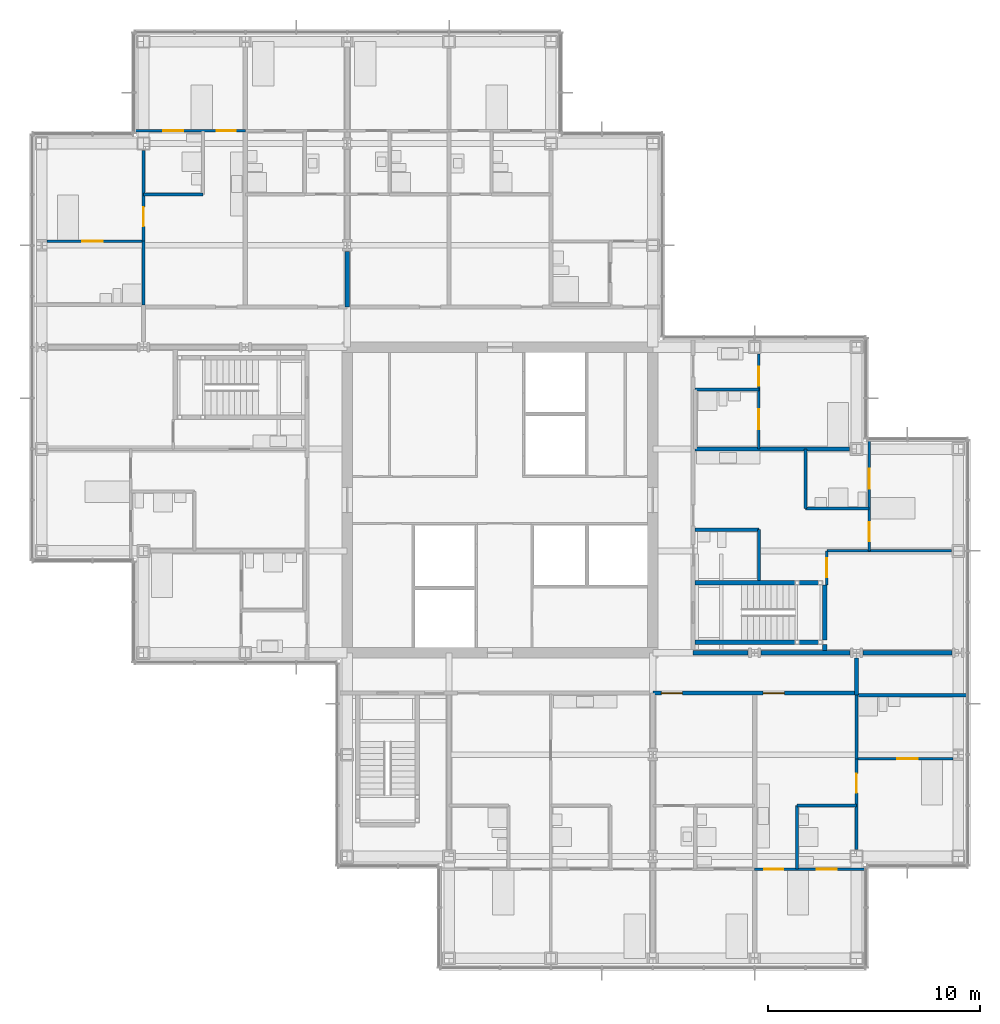
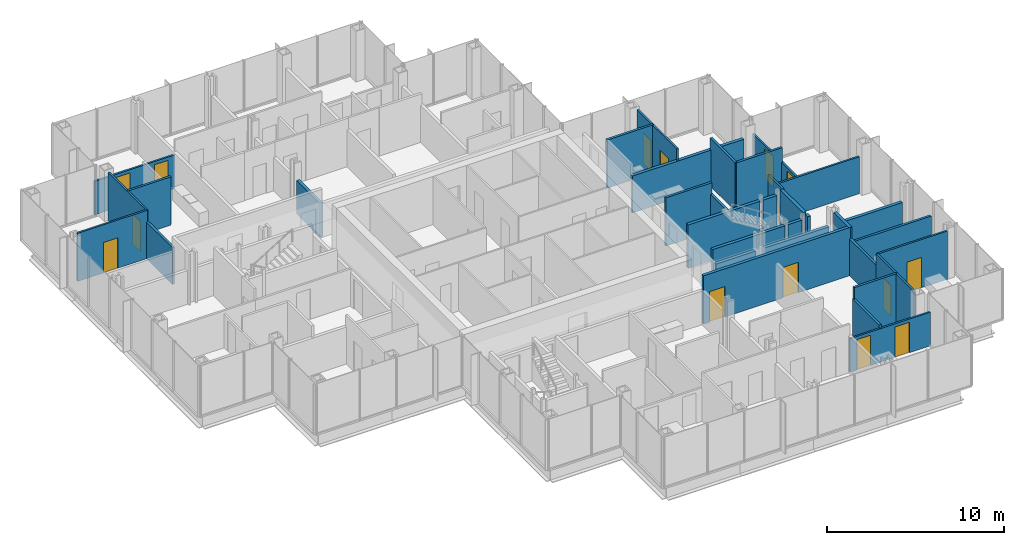
# One storey, part 16 of 20: 34 walls, 15 doors, 15 openings.
"""IFC4 building model written with IfcOpenShell, lengths in metres."""

from ifc_helpers import new_model, si_unit, direction, frame, frame_2d, origin, place, context, subcontext, project, spatial, rectangle, extrude, material, layer, layer_set, type_object, element, fill, save


model = new_model("IFC4")

# Units and contexts
model_context = context("Model", 3, precision=1e-05, world=origin(), true_north=direction((0.0, 1.0)))
body_context = subcontext(model_context, "Body", "Model", "MODEL_VIEW")
ifc_project = project(units=[si_unit("LENGTHUNIT", "METRE"), si_unit("AREAUNIT", "SQUARE_METRE"), si_unit("VOLUMEUNIT", "CUBIC_METRE"), si_unit("PLANEANGLEUNIT", "RADIAN"), si_unit("MASSUNIT", "GRAM", prefix="KILO")], contexts=[model_context])

# Site, building, storey
site_placement = place(None, origin())
site = spatial("IfcSite", under=ifc_project, at=site_placement, CompositionType="ELEMENT")
building_placement = place(site_placement, origin())
building = spatial("IfcBuilding", under=site, at=building_placement, Name="Kvirike Care Tower", CompositionType="ELEMENT")
storey_placement = place(building_placement, frame((0.0, 0.0, 115.5)))
storey = spatial("IfcBuildingStorey", under=building, at=storey_placement, Name="L31", CompositionType="ELEMENT", Elevation=115.5)

# Walls
ifc_material_1 = material(Name="Moisture-resistant board partition", Category="gypsum")
ifc_layer_1 = layer(ifc_material_1, 0.14990234375)
ifc_layer_set_1 = layer_set([ifc_layer_1], Name="BATHROOM WALL 150")
wall_type_1 = type_object("IfcWallType", Name="BATHROOM WALL 150", PredefinedType="PARTITIONING", material=ifc_layer_set_1)
wall_1_placement = place(storey_placement, frame((7.60009765625, 50.39990234375, 0.0), z_axis=(0.0, 0.0, 1.0), x_axis=(-1.0, 0.0, 0.0)))
element("IfcWall", 1, at=wall_1_placement, inside=storey, type_object=wall_type_1, Name="Bathroom Wall 150 L31", PredefinedType="PARTITIONING", context=body_context, shape_type="SweptSolid", body=[
    extrude(rectangle(XDim=2.800048828125, YDim=0.14990234375, at=frame_2d((1.39990234375, 0.0))), origin(), (0.0, 0.0, 1.0), 3.330078125),
])
for number, where, z_axis, x_axis, name in (
    (2, (4.800048828125, 48.199951171875, 0.0), (0.0, 0.0, 1.0), (0.0, -1.0, 0.0), "Bathroom Wall 150 L31"),
    (3, (35.60009765625, 18.60009765625, 0.0), (0.0, 0.0, 1.0), (0.0, 1.0, 0.0), "Bathroom Wall 150 L31"),
):
    element("IfcWall", number, at=place(storey_placement, frame(where, z_axis=z_axis, x_axis=x_axis)), inside=storey, type_object=wall_type_1, Name=name, PredefinedType="PARTITIONING", context=body_context, shape_type="SweptSolid", body=[
        extrude(rectangle(XDim=3.0, YDim=0.14990234375, at=frame_2d((1.5, 0.0))), origin(), (0.0, 0.0, 1.0), 2.550048828125),
    ])
wall_2_placement = place(storey_placement, frame((35.60009765625, 21.60009765625, 0.0), z_axis=(0.0, 0.0, 1.0), x_axis=(1.0, 0.0, 0.0)))
element("IfcWall", 4, at=wall_2_placement, inside=storey, type_object=wall_type_1, Name="Bathroom Wall 150 L31", PredefinedType="PARTITIONING", context=body_context, shape_type="SweptSolid", body=[
    extrude(rectangle(XDim=2.7998046875, YDim=0.14990234375, at=frame_2d((1.39990234375, 0.0))), origin(), (0.0, 0.0, 1.0), 3.330078125),
])
wall_3_placement = place(storey_placement, frame((38.39990234375, 23.800048828125, 0.0), z_axis=(0.0, 0.0, 1.0), x_axis=(0.0, 1.0, 0.0)))
element("IfcWall", 5, at=wall_3_placement, inside=storey, type_object=wall_type_1, Name="Bathroom Wall 150 L31", PredefinedType="PARTITIONING", context=body_context, shape_type="SweptSolid", body=[
    extrude(rectangle(XDim=3.0, YDim=0.14990234375, at=frame_2d((1.5, 0.0))), origin(), (0.0, 0.0, 1.0), 2.550048828125),
])
wall_4_placement = place(storey_placement, frame((33.800048828125, 32.199951171875, 0.0), z_axis=(0.0, 0.0, 1.0), x_axis=(0.0, 1.0, 0.0)))
element("IfcWall", 6, at=wall_4_placement, inside=storey, type_object=wall_type_1, Name="Bathroom Wall 150 L31", PredefinedType="PARTITIONING", context=body_context, shape_type="SweptSolid", body=[
    extrude(rectangle(XDim=2.400146484375, YDim=0.14990234375, at=frame_2d((1.2001953125, 0.0))), origin(), (0.0, 0.0, 1.0), 2.550048828125),
])
for number, where, z_axis, x_axis, name in (
    (7, (33.800048828125, 34.60009765625, 0.0), (0.0, 0.0, 1.0), (-1.0, 0.0, 0.0), "Bathroom Wall 150 L31"),
    (8, (39.0, 35.60009765625, 0.0), (0.0, 0.0, 1.0), (-1.0, 0.0, 0.0), "Bathroom Wall 150 L31"),
):
    element("IfcWall", number, at=place(storey_placement, frame(where, z_axis=z_axis, x_axis=x_axis)), inside=storey, type_object=wall_type_1, Name=name, PredefinedType="PARTITIONING", context=body_context, shape_type="SweptSolid", body=[
        extrude(rectangle(XDim=3.0, YDim=0.14990234375, at=frame_2d((1.5, 0.0))), origin(), (0.0, 0.0, 1.0), 3.330078125),
    ])
wall_5_placement = place(storey_placement, frame((36.0, 35.60009765625, 0.0), z_axis=(0.0, 0.0, 1.0), x_axis=(0.0, 1.0, 0.0)))
element("IfcWall", 9, at=wall_5_placement, inside=storey, type_object=wall_type_1, Name="Bathroom Wall 150 L31", PredefinedType="PARTITIONING", context=body_context, shape_type="SweptSolid", body=[
    extrude(rectangle(XDim=2.7998046875, YDim=0.14990234375, at=frame_2d((1.39990234375, 0.0))), origin(), (0.0, 0.0, 1.0), 3.330078125),
])
wall_6_placement = place(storey_placement, frame((33.800048828125, 41.199951171875, 0.0), z_axis=(0.0, 0.0, 1.0), x_axis=(-1.0, 0.0, 0.0)))
element("IfcWall", 10, at=wall_6_placement, inside=storey, type_object=wall_type_1, Name="Bathroom Wall 150 L31", PredefinedType="PARTITIONING", context=body_context, shape_type="SweptSolid", body=[
    extrude(rectangle(XDim=3.0, YDim=0.14990234375, at=frame_2d((1.5, 0.0))), origin(), (0.0, 0.0, 1.0), 3.330078125),
])
wall_7_placement = place(storey_placement, frame((38.5, 26.800048828125, 0.0), z_axis=(0.0, 0.0, 1.0), x_axis=(1.0, 0.0, 0.0)))
element("IfcWall", 11, at=wall_7_placement, inside=storey, type_object=wall_type_1, Name="Bathroom Wall 150 L31", PredefinedType="PARTITIONING", context=body_context, shape_type="SweptSolid", body=[
    extrude(rectangle(XDim=5.139892578125, YDim=0.14990234375, at=frame_2d((2.56982421875, 0.0))), origin(), (0.0, 0.0, 1.0), 2.320068359375),
])

# Wall, openings, doors
ifc_material_2 = material(Name="Plasterboard corridor wall", Category="gypsum")
ifc_layer_2 = layer(ifc_material_2, 0.199951171875)
ifc_layer_set_2 = layer_set([ifc_layer_2], Name="CORRIDOR WALL 200")
wall_type_2 = type_object("IfcWallType", Name="CORRIDOR WALL 200", PredefinedType="PARTITIONING", material=ifc_layer_set_2)
wall_8_placement = place(storey_placement, frame((28.800048828125, 26.89990234375, 0.0), z_axis=(0.0, 0.0, 1.0), x_axis=(1.0, 0.0, 0.0)))
wall_8 = element("IfcWall", 12, at=wall_8_placement, inside=storey, type_object=wall_type_2, Name="Corridor Wall 200 L31", PredefinedType="PARTITIONING", context=body_context, shape_type="SweptSolid", body=[
    extrude(rectangle(XDim=9.599853515625, YDim=0.199951171875, at=frame_2d((4.7998046875, 0.0))), origin(), (0.0, 0.0, 1.0), 3.330078125),
])
opening_1_placement = place(wall_8_placement, frame((0.39990234375, 0.0, 0.0)))
opening_1 = element("IfcOpeningElement", 13, at=opening_1_placement, cuts=wall_8, Name="Opening 31-045", PredefinedType="OPENING", context=body_context, shape_type="SweptSolid", body=[
    extrude(rectangle(XDim=1.0, YDim=2.10009765625, at=frame_2d((0.5, 1.050048828125))), frame((0.0, 0.110595703125, 0.0), z_axis=(0.0, -1.0, 0.0), x_axis=(1.0, 0.0, 0.0)), (0.0, 0.0, 1.0), 0.220947265625),
])
opening_2_placement = place(wall_8_placement, frame((5.199951171875, 0.0, 0.0)))
opening_2 = element("IfcOpeningElement", 14, at=opening_2_placement, cuts=wall_8, Name="Opening 31-046", PredefinedType="OPENING", context=body_context, shape_type="SweptSolid", body=[
    extrude(rectangle(XDim=1.0, YDim=2.10009765625, at=frame_2d((0.5, 1.050048828125))), frame((0.0, 0.110595703125, 0.0), z_axis=(0.0, -1.0, 0.0), x_axis=(1.0, 0.0, 0.0)), (0.0, 0.0, 1.0), 0.220947265625),
])
ifc_material_3 = material(Name="Timber door set", Category="wood")
door_type_1 = type_object("IfcDoorType", Name="FLAT ENTRANCE DOOR 1000", OperationType="SINGLE_SWING_LEFT", PredefinedType="DOOR", material=ifc_material_3)
door_1_placement = place(opening_1_placement, frame((1.0, 0.0, 0.0), z_axis=(0.0, 0.0, 1.0), x_axis=(-1.0, 0.0, 0.0)))
door_1 = element("IfcDoor", 15, at=door_1_placement, inside=storey, type_object=door_type_1, Name="Assisted living suite entrance", OperationType="SINGLE_SWING_LEFT", OverallHeight=2.10009765625, OverallWidth=1.0, PredefinedType="DOOR", context=body_context, shape_type="SweptSolid", body=[
    extrude(rectangle(XDim=1.0, YDim=2.10009765625, at=frame_2d((0.5, 1.050048828125))), frame((0.0, 0.02685546875, 0.0), z_axis=(0.0, -1.0, 0.0), x_axis=(1.0, 0.0, 0.0)), (0.0, 0.0, 1.0), 0.053955078125),
])
fill(opening_1, door_1)
door_2_placement = place(opening_2_placement, frame((1.0, 0.0, 0.0), z_axis=(0.0, 0.0, 1.0), x_axis=(-1.0, 0.0, 0.0)))
door_2 = element("IfcDoor", 16, at=door_2_placement, inside=storey, type_object=door_type_1, Name="Two-bedroom assisted living suite entrance", OperationType="SINGLE_SWING_LEFT", OverallHeight=2.10009765625, OverallWidth=1.0, PredefinedType="DOOR", context=body_context, shape_type="SweptSolid", body=[
    extrude(rectangle(XDim=1.0, YDim=2.10009765625, at=frame_2d((0.5, 1.050048828125))), frame((0.0, 0.02685546875, 0.0), z_axis=(0.0, -1.0, 0.0), x_axis=(1.0, 0.0, 0.0)), (0.0, 0.0, 1.0), 0.053955078125),
])
fill(opening_2, door_2)

# Wall
wall_9_placement = place(storey_placement, frame((38.39990234375, 26.800048828125, 0.0), z_axis=(0.0, 0.0, 1.0), x_axis=(0.0, 1.0, 0.0)))
element("IfcWall", 17, at=wall_9_placement, inside=storey, type_object=wall_type_2, Name="Corridor Wall 200 L31", PredefinedType="PARTITIONING", context=body_context, shape_type="SweptSolid", body=[
    extrude(rectangle(XDim=1.7529296875, YDim=0.199951171875, at=frame_2d((0.87646484375, 0.0))), origin(), (0.0, 0.0, 1.0), 3.330078125),
])

# Wall, openings, doors
ifc_material_4 = material(Name="Plasterboard partition", Category="gypsum")
ifc_layer_3 = layer(ifc_material_4, 0.1201171875)
ifc_layer_set_3 = layer_set([ifc_layer_3], Name="PARTITION 120")
wall_type_3 = type_object("IfcWallType", Name="PARTITION 120", PredefinedType="PARTITIONING", material=ifc_layer_set_3)
wall_10_placement = place(storey_placement, frame((9.60009765625, 53.39990234375, 0.0), z_axis=(0.0, 0.0, 1.0), x_axis=(-1.0, 0.0, 0.0)))
wall_10 = element("IfcWall", 18, at=wall_10_placement, inside=storey, type_object=wall_type_3, Name="Partition 120 L31", PredefinedType="PARTITIONING", context=body_context, shape_type="SweptSolid", body=[
    extrude(rectangle(XDim=5.239990234375, YDim=0.1201171875, at=frame_2d((2.6201171875, 0.0))), origin(), (0.0, 0.0, 1.0), 2.320068359375),
])
opening_3_placement = place(wall_10_placement, frame((0.449951171875, 0.0, 0.0)))
opening_3 = element("IfcOpeningElement", 19, at=opening_3_placement, cuts=wall_10, Name="Opening 31-013", PredefinedType="OPENING", context=body_context, shape_type="SweptSolid", body=[
    extrude(rectangle(XDim=0.89990234375, YDim=2.10009765625, at=frame_2d((0.449951171875, 1.050048828125))), frame((0.0, 0.070556640625, 0.0), z_axis=(0.0, -1.0, 0.0), x_axis=(1.0, 0.0, 0.0)), (0.0, 0.0, 1.0), 0.14111328125),
])
opening_4_placement = place(wall_10_placement, frame((2.925048828125, 0.0, 0.0)))
opening_4 = element("IfcOpeningElement", 20, at=opening_4_placement, cuts=wall_10, Name="Opening 31-014", PredefinedType="OPENING", context=body_context, shape_type="SweptSolid", body=[
    extrude(rectangle(XDim=0.949951171875, YDim=2.10009765625, at=frame_2d((0.47509765625, 1.050048828125))), frame((0.0, 0.070556640625, 0.0), z_axis=(0.0, -1.0, 0.0), x_axis=(1.0, 0.0, 0.0)), (0.0, 0.0, 1.0), 0.14111328125),
])
ifc_material_5 = material(Name="Timber door set", Category="wood")
door_type_2 = type_object("IfcDoorType", Name="EN-SUITE SLIDING DOOR 950", OperationType="SLIDING_TO_LEFT", PredefinedType="DOOR", material=ifc_material_5)
door_3_placement = place(opening_4_placement, origin())
door_3 = element("IfcDoor", 21, at=door_3_placement, inside=storey, type_object=door_type_2, Name="En-suite door", OperationType="SLIDING_TO_RIGHT", OverallHeight=2.10009765625, OverallWidth=0.949951171875, PredefinedType="DOOR", context=body_context, shape_type="SweptSolid", body=[
    extrude(rectangle(XDim=0.949951171875, YDim=2.10009765625, at=frame_2d((0.47509765625, 1.050048828125))), frame((0.0, 0.02197265625, 0.0), z_axis=(0.0, -1.0, 0.0), x_axis=(1.0, 0.0, 0.0)), (0.0, 0.0, 1.0), 0.0439453125),
])
fill(opening_4, door_3)
ifc_material_6 = material(Name="Timber door set", Category="wood")
door_type_3 = type_object("IfcDoorType", Name="INTERNAL DOOR 900", OperationType="SINGLE_SWING_LEFT", PredefinedType="DOOR", material=ifc_material_6)
door_4_placement = place(opening_3_placement, frame((0.89990234375, 0.0, 0.0), z_axis=(0.0, 0.0, 1.0), x_axis=(-1.0, 0.0, 0.0)))
door_4 = element("IfcDoor", 22, at=door_4_placement, inside=storey, type_object=door_type_3, Name="Assisted living suite door", OperationType="SINGLE_SWING_LEFT", OverallHeight=2.10009765625, OverallWidth=0.89990234375, PredefinedType="DOOR", context=body_context, shape_type="SweptSolid", body=[
    extrude(rectangle(XDim=0.89990234375, YDim=2.10009765625, at=frame_2d((0.449951171875, 1.050048828125))), frame((0.0, 0.02197265625, 0.0), z_axis=(0.0, -1.0, 0.0), x_axis=(1.0, 0.0, 0.0)), (0.0, 0.0, 1.0), 0.0439453125),
])
fill(opening_3, door_4)

# Wall, opening, door
wall_11_placement = place(storey_placement, frame((4.800048828125, 48.199951171875, 0.0), z_axis=(0.0, 0.0, 1.0), x_axis=(-1.0, 0.0, 0.0)))
wall_11 = element("IfcWall", 23, at=wall_11_placement, inside=storey, type_object=wall_type_3, Name="Partition 120 L31", PredefinedType="PARTITIONING", context=body_context, shape_type="SweptSolid", body=[
    extrude(rectangle(XDim=4.55615234375, YDim=0.1201171875, at=frame_2d((2.278076171875, 0.0))), origin(), (0.0, 0.0, 1.0), 3.330078125),
])
opening_5_placement = place(wall_11_placement, frame((1.925048828125, 0.0, 0.0)))
opening_5 = element("IfcOpeningElement", 24, at=opening_5_placement, cuts=wall_11, Name="Opening 31-015", PredefinedType="OPENING", context=body_context, shape_type="SweptSolid", body=[
    extrude(rectangle(XDim=0.949951171875, YDim=2.10009765625, at=frame_2d((0.47509765625, 1.050048828125))), frame((0.0, 0.070556640625, 0.0), z_axis=(0.0, -1.0, 0.0), x_axis=(1.0, 0.0, 0.0)), (0.0, 0.0, 1.0), 0.14111328125),
])
door_5_placement = place(opening_5_placement, origin())
door_5 = element("IfcDoor", 25, at=door_5_placement, inside=storey, type_object=door_type_2, Name="En-suite door", OperationType="SLIDING_TO_LEFT", OverallHeight=2.10009765625, OverallWidth=0.949951171875, PredefinedType="DOOR", context=body_context, shape_type="SweptSolid", body=[
    extrude(rectangle(XDim=0.949951171875, YDim=2.10009765625, at=frame_2d((0.47509765625, 1.050048828125))), frame((0.0, 0.02197265625, 0.0), z_axis=(0.0, -1.0, 0.0), x_axis=(1.0, 0.0, 0.0)), (0.0, 0.0, 1.0), 0.0439453125),
])
fill(opening_5, door_5)

wall_12_placement = place(storey_placement, frame((4.800048828125, 52.47998046875, 0.0), z_axis=(0.0, 0.0, 1.0), x_axis=(0.0, -1.0, 0.0)))
wall_12 = element("IfcWall", 26, at=wall_12_placement, inside=storey, type_object=wall_type_3, Name="Partition 120 L31", PredefinedType="PARTITIONING", context=body_context, shape_type="SweptSolid", body=[
    extrude(rectangle(XDim=4.280029296875, YDim=0.1201171875, at=frame_2d((2.14013671875, 0.0))), origin(), (0.0, 0.0, 1.0), 3.330078125),
])
opening_6_placement = place(wall_12_placement, frame((2.679931640625, 0.0, 0.0)))
opening_6 = element("IfcOpeningElement", 27, at=opening_6_placement, cuts=wall_12, Name="Opening 31-016", PredefinedType="OPENING", context=body_context, shape_type="SweptSolid", body=[
    extrude(rectangle(XDim=0.89990234375, YDim=2.10009765625, at=frame_2d((0.449951171875, 1.050048828125))), frame((0.0, 0.070556640625, 0.0), z_axis=(0.0, -1.0, 0.0), x_axis=(1.0, 0.0, 0.0)), (0.0, 0.0, 1.0), 0.14111328125),
])
door_6_placement = place(opening_6_placement, frame((0.89990234375, 0.0, 0.0), z_axis=(0.0, 0.0, 1.0), x_axis=(-1.0, 0.0, 0.0)))
door_6 = element("IfcDoor", 28, at=door_6_placement, inside=storey, type_object=door_type_3, Name="Connecting door", OperationType="SINGLE_SWING_RIGHT", OverallHeight=2.10009765625, OverallWidth=0.89990234375, PredefinedType="DOOR", context=body_context, shape_type="SweptSolid", body=[
    extrude(rectangle(XDim=0.89990234375, YDim=2.10009765625, at=frame_2d((0.449951171875, 1.050048828125))), frame((0.0, 0.02197265625, 0.0), z_axis=(0.0, -1.0, 0.0), x_axis=(1.0, 0.0, 0.0)), (0.0, 0.0, 1.0), 0.0439453125),
])
fill(opening_6, door_6)

# Wall, openings, doors
wall_13_placement = place(storey_placement, frame((33.60009765625, 18.60009765625, 0.0), z_axis=(0.0, 0.0, 1.0), x_axis=(1.0, 0.0, 0.0)))
wall_13 = element("IfcWall", 29, at=wall_13_placement, inside=storey, type_object=wall_type_3, Name="Partition 120 L31", PredefinedType="PARTITIONING", context=body_context, shape_type="SweptSolid", body=[
    extrude(rectangle(XDim=5.239990234375, YDim=0.1201171875, at=frame_2d((2.6201171875, 0.0))), origin(), (0.0, 0.0, 1.0), 2.320068359375),
])
opening_7_placement = place(wall_13_placement, frame((0.449951171875, 0.0, 0.0)))
opening_7 = element("IfcOpeningElement", 30, at=opening_7_placement, cuts=wall_13, Name="Opening 31-041", PredefinedType="OPENING", context=body_context, shape_type="SweptSolid", body=[
    extrude(rectangle(XDim=0.89990234375, YDim=2.10009765625, at=frame_2d((0.449951171875, 1.050048828125))), frame((0.0, 0.070556640625, 0.0), z_axis=(0.0, -1.0, 0.0), x_axis=(1.0, 0.0, 0.0)), (0.0, 0.0, 1.0), 0.14111328125),
])
opening_8_placement = place(wall_13_placement, frame((2.925048828125, 0.0, 0.0)))
opening_8 = element("IfcOpeningElement", 31, at=opening_8_placement, cuts=wall_13, Name="Opening 31-042", PredefinedType="OPENING", context=body_context, shape_type="SweptSolid", body=[
    extrude(rectangle(XDim=0.949951171875, YDim=2.10009765625, at=frame_2d((0.47509765625, 1.050048828125))), frame((0.0, 0.070556640625, 0.0), z_axis=(0.0, -1.0, 0.0), x_axis=(1.0, 0.0, 0.0)), (0.0, 0.0, 1.0), 0.14111328125),
])
door_7_placement = place(opening_8_placement, origin())
door_7 = element("IfcDoor", 32, at=door_7_placement, inside=storey, type_object=door_type_2, Name="En-suite door", OperationType="SLIDING_TO_RIGHT", OverallHeight=2.10009765625, OverallWidth=0.949951171875, PredefinedType="DOOR", context=body_context, shape_type="SweptSolid", body=[
    extrude(rectangle(XDim=0.949951171875, YDim=2.10009765625, at=frame_2d((0.47509765625, 1.050048828125))), frame((0.0, 0.02197265625, 0.0), z_axis=(0.0, -1.0, 0.0), x_axis=(1.0, 0.0, 0.0)), (0.0, 0.0, 1.0), 0.0439453125),
])
fill(opening_8, door_7)
door_8_placement = place(opening_7_placement, frame((0.89990234375, 0.0, 0.0), z_axis=(0.0, 0.0, 1.0), x_axis=(-1.0, 0.0, 0.0)))
door_8 = element("IfcDoor", 33, at=door_8_placement, inside=storey, type_object=door_type_3, Name="Assisted living suite door", OperationType="SINGLE_SWING_LEFT", OverallHeight=2.10009765625, OverallWidth=0.89990234375, PredefinedType="DOOR", context=body_context, shape_type="SweptSolid", body=[
    extrude(rectangle(XDim=0.89990234375, YDim=2.10009765625, at=frame_2d((0.449951171875, 1.050048828125))), frame((0.0, 0.02197265625, 0.0), z_axis=(0.0, -1.0, 0.0), x_axis=(1.0, 0.0, 0.0)), (0.0, 0.0, 1.0), 0.0439453125),
])
fill(opening_7, door_8)

# Wall, opening, door
wall_14_placement = place(storey_placement, frame((38.39990234375, 23.800048828125, 0.0), z_axis=(0.0, 0.0, 1.0), x_axis=(1.0, 0.0, 0.0)))
wall_14 = element("IfcWall", 34, at=wall_14_placement, inside=storey, type_object=wall_type_3, Name="Partition 120 L31", PredefinedType="PARTITIONING", context=body_context, shape_type="SweptSolid", body=[
    extrude(rectangle(XDim=4.55615234375, YDim=0.1201171875, at=frame_2d((2.278076171875, 0.0))), origin(), (0.0, 0.0, 1.0), 3.330078125),
])
opening_9_placement = place(wall_14_placement, frame((1.925048828125, 0.0, 0.0)))
opening_9 = element("IfcOpeningElement", 35, at=opening_9_placement, cuts=wall_14, Name="Opening 31-043", PredefinedType="OPENING", context=body_context, shape_type="SweptSolid", body=[
    extrude(rectangle(XDim=0.949951171875, YDim=2.10009765625, at=frame_2d((0.47509765625, 1.050048828125))), frame((0.0, 0.070556640625, 0.0), z_axis=(0.0, -1.0, 0.0), x_axis=(1.0, 0.0, 0.0)), (0.0, 0.0, 1.0), 0.14111328125),
])
door_9_placement = place(opening_9_placement, origin())
door_9 = element("IfcDoor", 36, at=door_9_placement, inside=storey, type_object=door_type_2, Name="En-suite door", OperationType="SLIDING_TO_LEFT", OverallHeight=2.10009765625, OverallWidth=0.949951171875, PredefinedType="DOOR", context=body_context, shape_type="SweptSolid", body=[
    extrude(rectangle(XDim=0.949951171875, YDim=2.10009765625, at=frame_2d((0.47509765625, 1.050048828125))), frame((0.0, 0.02197265625, 0.0), z_axis=(0.0, -1.0, 0.0), x_axis=(1.0, 0.0, 0.0)), (0.0, 0.0, 1.0), 0.0439453125),
])
fill(opening_9, door_9)

wall_15_placement = place(storey_placement, frame((38.39990234375, 19.52001953125, 0.0), z_axis=(0.0, 0.0, 1.0), x_axis=(0.0, 1.0, 0.0)))
wall_15 = element("IfcWall", 37, at=wall_15_placement, inside=storey, type_object=wall_type_3, Name="Partition 120 L31", PredefinedType="PARTITIONING", context=body_context, shape_type="SweptSolid", body=[
    extrude(rectangle(XDim=4.280029296875, YDim=0.1201171875, at=frame_2d((2.14013671875, 0.0))), origin(), (0.0, 0.0, 1.0), 3.330078125),
])
opening_10_placement = place(wall_15_placement, frame((2.679931640625, 0.0, 0.0)))
opening_10 = element("IfcOpeningElement", 38, at=opening_10_placement, cuts=wall_15, Name="Opening 31-044", PredefinedType="OPENING", context=body_context, shape_type="SweptSolid", body=[
    extrude(rectangle(XDim=0.89990234375, YDim=2.10009765625, at=frame_2d((0.449951171875, 1.050048828125))), frame((0.0, 0.070556640625, 0.0), z_axis=(0.0, -1.0, 0.0), x_axis=(1.0, 0.0, 0.0)), (0.0, 0.0, 1.0), 0.14111328125),
])
door_10_placement = place(opening_10_placement, frame((0.89990234375, 0.0, 0.0), z_axis=(0.0, 0.0, 1.0), x_axis=(-1.0, 0.0, 0.0)))
door_10 = element("IfcDoor", 39, at=door_10_placement, inside=storey, type_object=door_type_3, Name="Connecting door", OperationType="SINGLE_SWING_RIGHT", OverallHeight=2.10009765625, OverallWidth=0.89990234375, PredefinedType="DOOR", context=body_context, shape_type="SweptSolid", body=[
    extrude(rectangle(XDim=0.89990234375, YDim=2.10009765625, at=frame_2d((0.449951171875, 1.050048828125))), frame((0.0, 0.02197265625, 0.0), z_axis=(0.0, -1.0, 0.0), x_axis=(1.0, 0.0, 0.0)), (0.0, 0.0, 1.0), 0.0439453125),
])
fill(opening_10, door_10)

wall_16_placement = place(storey_placement, frame((37.0, 32.0, 0.0), z_axis=(0.0, 0.0, 1.0), x_axis=(0.0, 1.0, 0.0)))
wall_16 = element("IfcWall", 40, at=wall_16_placement, inside=storey, type_object=wall_type_3, Name="Partition 120 L31", PredefinedType="PARTITIONING", context=body_context, shape_type="SweptSolid", body=[
    extrude(rectangle(XDim=1.60009765625, YDim=0.1201171875, at=frame_2d((0.800048828125, 0.0))), origin(), (0.0, 0.0, 1.0), 3.330078125),
])
opening_11_placement = place(wall_16_placement, frame((0.35009765625, 0.0, 0.0)))
opening_11 = element("IfcOpeningElement", 41, at=opening_11_placement, cuts=wall_16, Name="Opening 31-047", PredefinedType="OPENING", context=body_context, shape_type="SweptSolid", body=[
    extrude(rectangle(XDim=0.89990234375, YDim=2.10009765625, at=frame_2d((0.449951171875, 1.050048828125))), frame((0.0, 0.070556640625, 0.0), z_axis=(0.0, -1.0, 0.0), x_axis=(1.0, 0.0, 0.0)), (0.0, 0.0, 1.0), 0.14111328125),
])
door_11_placement = place(opening_11_placement, frame((0.89990234375, 0.0, 0.0), z_axis=(0.0, 0.0, 1.0), x_axis=(-1.0, 0.0, 0.0)))
door_11 = element("IfcDoor", 42, at=door_11_placement, inside=storey, type_object=door_type_3, Name="Suite sitting room door", OperationType="SINGLE_SWING_RIGHT", OverallHeight=2.10009765625, OverallWidth=0.89990234375, PredefinedType="DOOR", context=body_context, shape_type="SweptSolid", body=[
    extrude(rectangle(XDim=0.89990234375, YDim=2.10009765625, at=frame_2d((0.449951171875, 1.050048828125))), frame((0.0, 0.02197265625, 0.0), z_axis=(0.0, -1.0, 0.0), x_axis=(1.0, 0.0, 0.0)), (0.0, 0.0, 1.0), 0.0439453125),
])
fill(opening_11, door_11)

# Wall, openings, doors
wall_17_placement = place(storey_placement, frame((39.0, 33.60009765625, 0.0), z_axis=(0.0, 0.0, 1.0), x_axis=(0.0, 1.0, 0.0)))
wall_17 = element("IfcWall", 43, at=wall_17_placement, inside=storey, type_object=wall_type_3, Name="Partition 120 L31", PredefinedType="PARTITIONING", context=body_context, shape_type="SweptSolid", body=[
    extrude(rectangle(XDim=5.239990234375, YDim=0.1201171875, at=frame_2d((2.6201171875, 0.0))), origin(), (0.0, 0.0, 1.0), 2.320068359375),
])
opening_12_placement = place(wall_17_placement, frame((0.449951171875, 0.0, 0.0)))
opening_12 = element("IfcOpeningElement", 44, at=opening_12_placement, cuts=wall_17, Name="Opening 31-048", PredefinedType="OPENING", context=body_context, shape_type="SweptSolid", body=[
    extrude(rectangle(XDim=0.89990234375, YDim=2.10009765625, at=frame_2d((0.449951171875, 1.050048828125))), frame((0.0, 0.070556640625, 0.0), z_axis=(0.0, -1.0, 0.0), x_axis=(1.0, 0.0, 0.0)), (0.0, 0.0, 1.0), 0.14111328125),
])
opening_13_placement = place(wall_17_placement, frame((2.925048828125, 0.0, 0.0)))
opening_13 = element("IfcOpeningElement", 45, at=opening_13_placement, cuts=wall_17, Name="Opening 31-049", PredefinedType="OPENING", context=body_context, shape_type="SweptSolid", body=[
    extrude(rectangle(XDim=0.949951171875, YDim=2.10009765625, at=frame_2d((0.47509765625, 1.050048828125))), frame((0.0, 0.070556640625, 0.0), z_axis=(0.0, -1.0, 0.0), x_axis=(1.0, 0.0, 0.0)), (0.0, 0.0, 1.0), 0.14111328125),
])
door_12_placement = place(opening_13_placement, origin())
door_12 = element("IfcDoor", 46, at=door_12_placement, inside=storey, type_object=door_type_2, Name="En-suite door", OperationType="SLIDING_TO_LEFT", OverallHeight=2.10009765625, OverallWidth=0.949951171875, PredefinedType="DOOR", context=body_context, shape_type="SweptSolid", body=[
    extrude(rectangle(XDim=0.949951171875, YDim=2.10009765625, at=frame_2d((0.47509765625, 1.050048828125))), frame((0.0, 0.02197265625, 0.0), z_axis=(0.0, -1.0, 0.0), x_axis=(1.0, 0.0, 0.0)), (0.0, 0.0, 1.0), 0.0439453125),
])
fill(opening_13, door_12)
door_13_placement = place(opening_12_placement, frame((0.89990234375, 0.0, 0.0), z_axis=(0.0, 0.0, 1.0), x_axis=(-1.0, 0.0, 0.0)))
door_13 = element("IfcDoor", 47, at=door_13_placement, inside=storey, type_object=door_type_3, Name="Assisted living suite door", OperationType="SINGLE_SWING_LEFT", OverallHeight=2.10009765625, OverallWidth=0.89990234375, PredefinedType="DOOR", context=body_context, shape_type="SweptSolid", body=[
    extrude(rectangle(XDim=0.89990234375, YDim=2.10009765625, at=frame_2d((0.449951171875, 1.050048828125))), frame((0.0, 0.02197265625, 0.0), z_axis=(0.0, -1.0, 0.0), x_axis=(1.0, 0.0, 0.0)), (0.0, 0.0, 1.0), 0.0439453125),
])
fill(opening_12, door_13)

# Wall
wall_18_placement = place(storey_placement, frame((42.8798828125, 33.60009765625, 0.0), z_axis=(0.0, 0.0, 1.0), x_axis=(-1.0, 0.0, 0.0)))
element("IfcWall", 48, at=wall_18_placement, inside=storey, type_object=wall_type_3, Name="Partition 120 L31", PredefinedType="PARTITIONING", context=body_context, shape_type="SweptSolid", body=[
    extrude(rectangle(XDim=5.8798828125, YDim=0.1201171875, at=frame_2d((2.93994140625, 0.0))), origin(), (0.0, 0.0, 1.0), 2.550048828125),
])

# Wall, openings, doors
wall_19_placement = place(storey_placement, frame((33.800048828125, 38.39990234375, 0.0), z_axis=(0.0, 0.0, 1.0), x_axis=(0.0, 1.0, 0.0)))
wall_19 = element("IfcWall", 49, at=wall_19_placement, inside=storey, type_object=wall_type_3, Name="Partition 120 L31", PredefinedType="PARTITIONING", context=body_context, shape_type="SweptSolid", body=[
    extrude(rectangle(XDim=4.47998046875, YDim=0.1201171875, at=frame_2d((2.239990234375, 0.0))), origin(), (0.0, 0.0, 1.0), 3.330078125),
])
opening_14_placement = place(wall_19_placement, frame((2.97509765625, 0.0, 0.0)))
opening_14 = element("IfcOpeningElement", 50, at=opening_14_placement, cuts=wall_19, Name="Opening 31-050", PredefinedType="OPENING", context=body_context, shape_type="SweptSolid", body=[
    extrude(rectangle(XDim=0.89990234375, YDim=2.10009765625, at=frame_2d((0.449951171875, 1.050048828125))), frame((0.0, 0.070556640625, 0.0), z_axis=(0.0, -1.0, 0.0), x_axis=(1.0, 0.0, 0.0)), (0.0, 0.0, 1.0), 0.14111328125),
])
opening_15_placement = place(wall_19_placement, frame((0.925048828125, 0.0, 0.0)))
opening_15 = element("IfcOpeningElement", 51, at=opening_15_placement, cuts=wall_19, Name="Opening 31-051", PredefinedType="OPENING", context=body_context, shape_type="SweptSolid", body=[
    extrude(rectangle(XDim=0.949951171875, YDim=2.10009765625, at=frame_2d((0.47509765625, 1.050048828125))), frame((0.0, 0.070556640625, 0.0), z_axis=(0.0, -1.0, 0.0), x_axis=(1.0, 0.0, 0.0)), (0.0, 0.0, 1.0), 0.14111328125),
])
door_14_placement = place(opening_15_placement, origin())
door_14 = element("IfcDoor", 52, at=door_14_placement, inside=storey, type_object=door_type_2, Name="En-suite door", OperationType="SLIDING_TO_RIGHT", OverallHeight=2.10009765625, OverallWidth=0.949951171875, PredefinedType="DOOR", context=body_context, shape_type="SweptSolid", body=[
    extrude(rectangle(XDim=0.949951171875, YDim=2.10009765625, at=frame_2d((0.47509765625, 1.050048828125))), frame((0.0, 0.02197265625, 0.0), z_axis=(0.0, -1.0, 0.0), x_axis=(1.0, 0.0, 0.0)), (0.0, 0.0, 1.0), 0.0439453125),
])
fill(opening_15, door_14)
door_15_placement = place(opening_14_placement, origin())
door_15 = element("IfcDoor", 53, at=door_15_placement, inside=storey, type_object=door_type_3, Name="Assisted living suite door", OperationType="SINGLE_SWING_RIGHT", OverallHeight=2.10009765625, OverallWidth=0.89990234375, PredefinedType="DOOR", context=body_context, shape_type="SweptSolid", body=[
    extrude(rectangle(XDim=0.89990234375, YDim=2.10009765625, at=frame_2d((0.449951171875, 1.050048828125))), frame((0.0, 0.02197265625, 0.0), z_axis=(0.0, -1.0, 0.0), x_axis=(1.0, 0.0, 0.0)), (0.0, 0.0, 1.0), 0.0439453125),
])
fill(opening_14, door_15)

# Walls
ifc_material_7 = material(Name="Plasterboard party wall", Category="gypsum")
ifc_layer_4 = layer(ifc_material_7, 0.199951171875)
ifc_layer_set_4 = layer_set([ifc_layer_4], Name="PARTY WALL 200")
wall_type_4 = type_object("IfcWallType", Name="PARTY WALL 200", PredefinedType="PARTITIONING", material=ifc_layer_set_4)
wall_20_placement = place(storey_placement, frame((38.080078125, 38.39990234375, 0.0), z_axis=(0.0, 0.0, 1.0), x_axis=(-1.0, 0.0, 0.0)))
element("IfcWall", 54, at=wall_20_placement, inside=storey, type_object=wall_type_4, Name="Party Wall 200 L31", PredefinedType="PARTITIONING", context=body_context, shape_type="SweptSolid", body=[
    extrude(rectangle(XDim=7.280029296875, YDim=0.199951171875, at=frame_2d((3.64013671875, 0.0))), origin(), (0.0, 0.0, 1.0), 2.550048828125),
])
wall_21_placement = place(storey_placement, frame((14.39990234375, 45.10009765625, 0.0), z_axis=(0.0, 0.0, 1.0), x_axis=(0.0, 1.0, 0.0)))
element("IfcWall", 55, at=wall_21_placement, inside=storey, type_object=wall_type_4, Name="Party Wall 200 L31", PredefinedType="PARTITIONING", context=body_context, shape_type="SweptSolid", body=[
    extrude(rectangle(XDim=2.614501953125, YDim=0.199951171875, at=frame_2d((1.30712890625, 0.0))), origin(), (0.0, 0.0, 1.0), 2.320068359375),
])
wall_22_placement = place(storey_placement, frame((42.905029296875, 28.800048828125, 0.0), z_axis=(0.0, 0.0, 1.0), x_axis=(-1.0, 0.0, 0.0)))
element("IfcWall", 56, at=wall_22_placement, inside=storey, type_object=wall_type_4, Name="Party Wall 200 L31", PredefinedType="PARTITIONING", context=body_context, shape_type="SweptSolid", body=[
    extrude(rectangle(XDim=4.200439453125, YDim=0.199951171875, at=frame_2d((2.10009765625, 0.0))), origin(), (0.0, 0.0, 1.0), 2.320068359375),
])
wall_23_placement = place(storey_placement, frame((38.095458984375, 28.800048828125, 0.0), z_axis=(0.0, 0.0, 1.0), x_axis=(-1.0, 0.0, 0.0)))
element("IfcWall", 57, at=wall_23_placement, inside=storey, type_object=wall_type_4, Name="Party Wall 200 L31", PredefinedType="PARTITIONING", context=body_context, shape_type="SweptSolid", body=[
    extrude(rectangle(XDim=4.19091796875, YDim=0.199951171875, at=frame_2d((2.095458984375, 0.0))), origin(), (0.0, 0.0, 1.0), 2.320068359375),
])
wall_24_placement = place(storey_placement, frame((33.29541015625, 28.800048828125, 0.0), z_axis=(0.0, 0.0, 1.0), x_axis=(-1.0, 0.0, 0.0)))
element("IfcWall", 58, at=wall_24_placement, inside=storey, type_object=wall_type_4, Name="Party Wall 200 L31", PredefinedType="PARTITIONING", context=body_context, shape_type="SweptSolid", body=[
    extrude(rectangle(XDim=2.595458984375, YDim=0.199951171875, at=frame_2d((1.2978515625, 0.0))), origin(), (0.0, 0.0, 1.0), 2.320068359375),
])
ifc_material_8 = material(Name="Concrete C40/50", Category="concrete")
ifc_layer_5 = layer(ifc_material_8, 0.199951171875)
ifc_layer_set_5 = layer_set([ifc_layer_5], Name="STAIR WALL 200")
wall_type_5 = type_object("IfcWallType", Name="STAIR WALL 200", PredefinedType="SOLIDWALL", material=ifc_layer_set_5)
wall_25_placement = place(storey_placement, frame((36.60009765625, 29.300048828125, 0.0), z_axis=(0.0, 0.0, 1.0), x_axis=(-1.0, 0.0, 0.0)))
element("IfcWall", 59, at=wall_25_placement, inside=storey, type_object=wall_type_5, Name="Stair Wall 200 L31", PredefinedType="SOLIDWALL", context=body_context, shape_type="SweptSolid", body=[
    extrude(rectangle(XDim=0.900146484375, YDim=0.199951171875, at=frame_2d((0.4501953125, 0.0))), origin(), (0.0, 0.0, 1.0), 2.989990234375),
])
wall_26_placement = place(storey_placement, frame((35.5, 29.300048828125, 0.0), z_axis=(0.0, 0.0, 1.0), x_axis=(-1.0, 0.0, 0.0)))
element("IfcWall", 60, at=wall_26_placement, inside=storey, type_object=wall_type_5, Name="Stair Wall 200 L31", PredefinedType="SOLIDWALL", context=body_context, shape_type="SweptSolid", body=[
    extrude(rectangle(XDim=4.699951171875, YDim=0.199951171875, at=frame_2d((2.35009765625, 0.0))), origin(), (0.0, 0.0, 1.0), 2.989990234375),
])
wall_27_placement = place(storey_placement, frame((36.60009765625, 32.10009765625, 0.0), z_axis=(0.0, 0.0, 1.0), x_axis=(-1.0, 0.0, 0.0)))
element("IfcWall", 61, at=wall_27_placement, inside=storey, type_object=wall_type_5, Name="Stair Wall 200 L31", PredefinedType="SOLIDWALL", context=body_context, shape_type="SweptSolid", body=[
    extrude(rectangle(XDim=0.900146484375, YDim=0.199951171875, at=frame_2d((0.4501953125, 0.0))), origin(), (0.0, 0.0, 1.0), 2.989990234375),
])
wall_28_placement = place(storey_placement, frame((35.5, 32.10009765625, 0.0), z_axis=(0.0, 0.0, 1.0), x_axis=(-1.0, 0.0, 0.0)))
element("IfcWall", 62, at=wall_28_placement, inside=storey, type_object=wall_type_5, Name="Stair Wall 200 L31", PredefinedType="SOLIDWALL", context=body_context, shape_type="SweptSolid", body=[
    extrude(rectangle(XDim=4.699951171875, YDim=0.199951171875, at=frame_2d((2.35009765625, 0.0))), origin(), (0.0, 0.0, 1.0), 2.989990234375),
])
wall_29_placement = place(storey_placement, frame((36.89990234375, 28.89990234375, 0.0), z_axis=(0.0, 0.0, 1.0), x_axis=(0.0, 1.0, 0.0)))
element("IfcWall", 63, at=wall_29_placement, inside=storey, type_object=wall_type_5, Name="Stair Wall 200 L31", PredefinedType="SOLIDWALL", context=body_context, shape_type="SweptSolid", body=[
    extrude(rectangle(XDim=0.300048828125, YDim=0.199951171875, at=frame_2d((0.14990234375, 0.0))), origin(), (0.0, 0.0, 1.0), 3.330078125),
])
wall_30_placement = place(storey_placement, frame((36.89990234375, 29.39990234375, 0.0), z_axis=(0.0, 0.0, 1.0), x_axis=(0.0, 1.0, 0.0)))
element("IfcWall", 64, at=wall_30_placement, inside=storey, type_object=wall_type_5, Name="Stair Wall 200 L31", PredefinedType="SOLIDWALL", context=body_context, shape_type="SweptSolid", body=[
    extrude(rectangle(XDim=2.60009765625, YDim=0.199951171875, at=frame_2d((1.300048828125, 0.0))), origin(), (0.0, 0.0, 1.0), 3.330078125),
])

save(model, "model.ifc")
